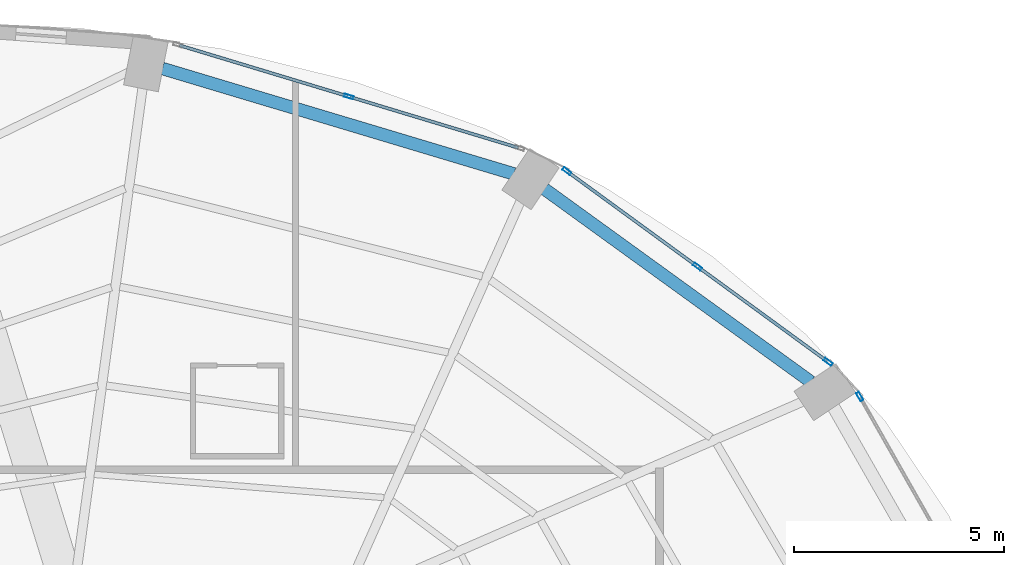
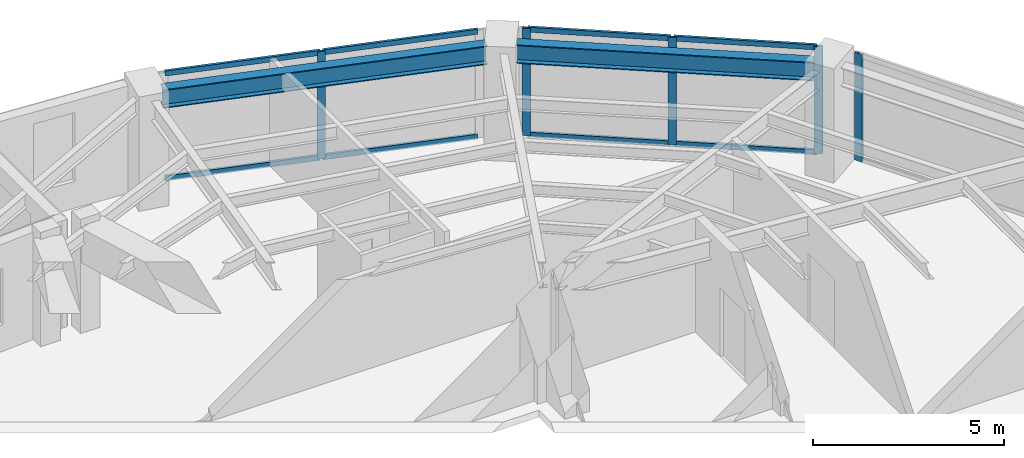
# One storey, part 18 of 24: 13 members, 2 beams, 3 elements without a shape of their own.
"""IFC4 building model written with IfcOpenShell, lengths in metres."""

from ifc_helpers import new_model, si_unit, direction, frame, origin, origin_2d, place, context, subcontext, project, spatial, hollow_rectangle, i_section, extrude, material, layer, layer_set, material_profile, profile_set, type_object, element, aggregate, save


model = new_model("IFC4")

# Units and contexts
model_context = context("Model", 3, precision=1e-05, world=origin(), true_north=direction((0.0, 1.0)))
body_context = subcontext(model_context, "Body", "Model", "MODEL_VIEW")
ifc_project = project(units=[si_unit("LENGTHUNIT", "METRE"), si_unit("AREAUNIT", "SQUARE_METRE"), si_unit("VOLUMEUNIT", "CUBIC_METRE"), si_unit("PLANEANGLEUNIT", "RADIAN"), si_unit("MASSUNIT", "GRAM", prefix="KILO")], contexts=[model_context])

# Site, building, storey
site_placement = place(None, origin())
site = spatial("IfcSite", under=ifc_project, at=site_placement, CompositionType="ELEMENT")
building_placement = place(site_placement, origin())
building = spatial("IfcBuilding", under=site, at=building_placement, Name="Lazwardi Medical Tower", CompositionType="ELEMENT")
storey_placement = place(building_placement, frame((0.0, 0.0, 118.22412109375)))
storey = spatial("IfcBuildingStorey", under=building, at=storey_placement, Name="L30", CompositionType="ELEMENT", Elevation=118.22412109375)

# Beams
ifc_material_1 = material(Name="Steel S355", Category="steel")
ifc_material_profile_1 = material_profile(ifc_material_1, i_section(OverallWidth=0.300048828125, OverallDepth=0.60009765625, WebThickness=0.015380859375, FlangeThickness=0.030029296875, at=origin_2d()), Name="HEB 600")
ifc_profile_set_1 = profile_set([ifc_material_profile_1], Name="Steel S355")
beam_type = type_object("IfcBeamType", Name="BM-RB-Z2", PredefinedType="BEAM", material=ifc_profile_set_1)
beam_1_placement = place(storey_placement, frame((56.74560546875, 40.835205078125, 3.1279296875), z_axis=(-0.81005674773, 0.586351486275, 0.0), x_axis=(-0.586351486275, -0.81005674773, 0.0)))
element("IfcBeam", 1, at=beam_1_placement, inside=storey, type_object=beam_type, Name="Ring beam RB-03 B06 L30", PredefinedType="BEAM", context=body_context, shape_type="SweptSolid", body=[
    extrude(i_section(OverallWidth=0.300048828125, OverallDepth=0.60009765625, WebThickness=0.015380859375, FlangeThickness=0.030029296875, at=origin_2d()), origin(), (0.0, 0.0, 1.0), 7.81396484375),
])
beam_2_placement = place(storey_placement, frame((49.69091796875, 45.775390625, 3.1279296875), z_axis=(-0.957879438442, 0.287170648587, 0.0), x_axis=(-0.287170648587, -0.957879438442, 0.0)))
element("IfcBeam", 2, at=beam_2_placement, inside=storey, type_object=beam_type, Name="Ring beam RB-03 B07 L30", PredefinedType="BEAM", context=body_context, shape_type="SweptSolid", body=[
    extrude(i_section(OverallWidth=0.300048828125, OverallDepth=0.60009765625, WebThickness=0.015380859375, FlangeThickness=0.030029296875, at=origin_2d()), origin(), (0.0, 0.0, 1.0), 8.719970703125),
])

# Curtain wall, member
ifc_material_2 = material(Name="Anodised bronze aluminium and solar control glazing", Category="aluminium")
ifc_layer = layer(ifc_material_2, 0.195068359375)
ifc_layer_set = layer_set([ifc_layer], Name="Anodised bronze aluminium and solar control glazing")
curtain_wall_type = type_object("IfcCurtainWallType", Name="CW-SYS-03", PredefinedType="NOTDEFINED", material=ifc_layer_set)
curtain_wall_1_placement = place(storey_placement, origin())
curtain_wall_1 = element("IfcCurtainWall", 3, at=curtain_wall_1_placement, inside=storey, type_object=curtain_wall_type, Name="L30 Unitised bronze curtain wall CW-03", PredefinedType="NOTDEFINED")
ifc_material_3 = material(Name="Anodised bronze aluminium", Category="aluminium")
ifc_material_profile_2 = material_profile(ifc_material_3, hollow_rectangle(XDim=0.074951171875, YDim=0.219970703125, WallThickness=0.00390625, at=origin_2d()), Name="ALU-MULLION 220x75x4")
ifc_profile_set_2 = profile_set([ifc_material_profile_2], Name="Anodised bronze aluminium")
member_type_1 = type_object("IfcMemberType", Name="CW-MUL-01", PredefinedType="MULLION", material=ifc_profile_set_2)
member_1_placement = place(storey_placement, frame((57.9072265625, 40.48583984375, 0.0), z_axis=(0.0, 0.0, 1.0), x_axis=(-0.869687265712, -0.493603140041, 0.0)))
member_1 = element("IfcMember", 4, at=member_1_placement, type_object=member_type_1, Name="CW-03 mullion 2", PredefinedType="MULLION", context=body_context, shape_type="SweptSolid", body=[
    extrude(hollow_rectangle(XDim=0.074951171875, YDim=0.219970703125, WallThickness=0.00390625, at=origin_2d()), origin(), (0.0, 0.0, 1.0), 3.427978515625),
])
aggregate(curtain_wall_1, [member_1])

# Curtain wall, members
curtain_wall_2_placement = place(storey_placement, origin())
curtain_wall_2 = element("IfcCurtainWall", 5, at=curtain_wall_2_placement, inside=storey, type_object=curtain_wall_type, Name="L30 Unitised bronze curtain wall CW-03", PredefinedType="NOTDEFINED")
member_2_placement = place(storey_placement, frame((57.155029296875, 41.308837890625, 0.0), z_axis=(0.0, 0.0, 1.0), x_axis=(-0.589530882802, -0.807745837639, 0.0)))
member_2 = element("IfcMember", 6, at=member_2_placement, type_object=member_type_1, Name="CW-03 mullion 1", PredefinedType="MULLION", context=body_context, shape_type="SweptSolid", body=[
    extrude(hollow_rectangle(XDim=0.074951171875, YDim=0.219970703125, WallThickness=0.00390625, at=origin_2d()), origin(), (0.0, 0.0, 1.0), 3.427978515625),
])
member_3_placement = place(storey_placement, frame((54.051025390625, 43.57421875, 0.0), z_axis=(0.0, 0.0, 1.0), x_axis=(-0.589530882802, -0.807745837639, 0.0)))
member_3 = element("IfcMember", 7, at=member_3_placement, type_object=member_type_1, Name="CW-03 mullion 2", PredefinedType="MULLION", context=body_context, shape_type="SweptSolid", body=[
    extrude(hollow_rectangle(XDim=0.074951171875, YDim=0.219970703125, WallThickness=0.00390625, at=origin_2d()), origin(), (0.0, 0.0, 1.0), 3.427978515625),
])
member_4_placement = place(storey_placement, frame((50.947265625, 45.839599609375, 0.0), z_axis=(0.0, 0.0, 1.0), x_axis=(-0.589530882802, -0.807745837639, 0.0)))
member_4 = element("IfcMember", 8, at=member_4_placement, type_object=member_type_1, Name="CW-03 mullion 3", PredefinedType="MULLION", context=body_context, shape_type="SweptSolid", body=[
    extrude(hollow_rectangle(XDim=0.074951171875, YDim=0.219970703125, WallThickness=0.00390625, at=origin_2d()), origin(), (0.0, 0.0, 1.0), 3.427978515625),
])

# Curtain wall, member
curtain_wall_3_placement = place(storey_placement, origin())
curtain_wall_3 = element("IfcCurtainWall", 9, at=curtain_wall_3_placement, inside=storey, type_object=curtain_wall_type, Name="L30 Unitised bronze curtain wall CW-03", PredefinedType="NOTDEFINED")
member_5_placement = place(storey_placement, frame((45.769287109375, 47.613037109375, 0.0), z_axis=(0.0, 0.0, 1.0), x_axis=(-0.28937381157, -0.957216170558, 0.0)))
member_5 = element("IfcMember", 10, at=member_5_placement, type_object=member_type_1, Name="CW-03 mullion 2", PredefinedType="MULLION", context=body_context, shape_type="SweptSolid", body=[
    extrude(hollow_rectangle(XDim=0.074951171875, YDim=0.219970703125, WallThickness=0.00390625, at=origin_2d()), origin(), (0.0, 0.0, 1.0), 3.427978515625),
])

# Member
ifc_material_profile_3 = material_profile(ifc_material_3, hollow_rectangle(XDim=0.074951171875, YDim=0.159912109375, WallThickness=0.00390625, at=origin_2d()), Name="ALU-TRANSOM 160x75x4")
ifc_profile_set_3 = profile_set([ifc_material_profile_3], Name="Anodised bronze aluminium")
member_type_2 = type_object("IfcMemberType", Name="CW-TRN-01", PredefinedType="USERDEFINED", material=ifc_profile_set_3)
member_6_placement = place(storey_placement, frame((57.12451171875, 41.3310546875, 0.037353515625), z_axis=(-0.807731734271, 0.589550206049, 0.0), x_axis=(-0.589550206049, -0.807731734271, 0.0)))
member_6 = element("IfcMember", 11, at=member_6_placement, type_object=member_type_2, Name="CW-03 transom 1.1", ObjectType="TRANSOM", PredefinedType="USERDEFINED", context=body_context, shape_type="SweptSolid", body=[
    extrude(hollow_rectangle(XDim=0.074951171875, YDim=0.159912109375, WallThickness=0.00390625, at=origin_2d()), origin(), (0.0, 0.0, 1.0), 3.767578125),
])

member_7_placement = place(storey_placement, frame((57.12451171875, 41.3310546875, 3.390380859375), z_axis=(-0.807731734271, 0.589550206049, 0.0), x_axis=(-0.589550206049, -0.807731734271, 0.0)))
member_7 = element("IfcMember", 12, at=member_7_placement, type_object=member_type_2, Name="CW-03 transom 1.2", ObjectType="TRANSOM", PredefinedType="USERDEFINED", context=body_context, shape_type="SweptSolid", body=[
    extrude(hollow_rectangle(XDim=0.074951171875, YDim=0.159912109375, WallThickness=0.00390625, at=origin_2d()), origin(), (0.0, 0.0, 1.0), 3.767578125),
])

member_8_placement = place(storey_placement, frame((54.020751953125, 43.596435546875, 0.037353515625), z_axis=(-0.80776259199, 0.58950792614, 0.0), x_axis=(-0.58950792614, -0.80776259199, 0.0)))
member_8 = element("IfcMember", 13, at=member_8_placement, type_object=member_type_2, Name="CW-03 transom 2.1", ObjectType="TRANSOM", PredefinedType="USERDEFINED", context=body_context, shape_type="SweptSolid", body=[
    extrude(hollow_rectangle(XDim=0.074951171875, YDim=0.159912109375, WallThickness=0.00390625, at=origin_2d()), origin(), (0.0, 0.0, 1.0), 3.767578125),
])

member_9_placement = place(storey_placement, frame((54.020751953125, 43.596435546875, 3.390380859375), z_axis=(-0.80776259199, 0.58950792614, 0.0), x_axis=(-0.58950792614, -0.80776259199, 0.0)))
member_9 = element("IfcMember", 14, at=member_9_placement, type_object=member_type_2, Name="CW-03 transom 2.2", ObjectType="TRANSOM", PredefinedType="USERDEFINED", context=body_context, shape_type="SweptSolid", body=[
    extrude(hollow_rectangle(XDim=0.074951171875, YDim=0.159912109375, WallThickness=0.00390625, at=origin_2d()), origin(), (0.0, 0.0, 1.0), 3.767578125),
])

aggregate(curtain_wall_2, [member_2, member_3, member_4, member_6, member_7, member_8, member_9])

member_10_placement = place(storey_placement, frame((49.79248046875, 46.396728515625, 0.037353515625), z_axis=(-0.957204630929, 0.289411980623, 0.0), x_axis=(-0.289411980623, -0.957204630929, 0.0)))
member_10 = element("IfcMember", 15, at=member_10_placement, type_object=member_type_2, Name="CW-03 transom 1.1", ObjectType="TRANSOM", PredefinedType="USERDEFINED", context=body_context, shape_type="SweptSolid", body=[
    extrude(hollow_rectangle(XDim=0.074951171875, YDim=0.159912109375, WallThickness=0.00390625, at=origin_2d()), origin(), (0.0, 0.0, 1.0), 4.16552734375),
])

member_11_placement = place(storey_placement, frame((49.79248046875, 46.396728515625, 3.390380859375), z_axis=(-0.957204630929, 0.289411980623, 0.0), x_axis=(-0.289411980623, -0.957204630929, 0.0)))
member_11 = element("IfcMember", 16, at=member_11_placement, type_object=member_type_2, Name="CW-03 transom 1.2", ObjectType="TRANSOM", PredefinedType="USERDEFINED", context=body_context, shape_type="SweptSolid", body=[
    extrude(hollow_rectangle(XDim=0.074951171875, YDim=0.159912109375, WallThickness=0.00390625, at=origin_2d()), origin(), (0.0, 0.0, 1.0), 4.16552734375),
])

member_12_placement = place(storey_placement, frame((45.7333984375, 47.6240234375, 0.037353515625), z_axis=(-0.957220865985, 0.289358279168, 0.0), x_axis=(-0.289358279168, -0.957220865985, 0.0)))
member_12 = element("IfcMember", 17, at=member_12_placement, type_object=member_type_2, Name="CW-03 transom 2.1", ObjectType="TRANSOM", PredefinedType="USERDEFINED", context=body_context, shape_type="SweptSolid", body=[
    extrude(hollow_rectangle(XDim=0.074951171875, YDim=0.159912109375, WallThickness=0.00390625, at=origin_2d()), origin(), (0.0, 0.0, 1.0), 4.16552734375),
])

member_13_placement = place(storey_placement, frame((45.7333984375, 47.6240234375, 3.390380859375), z_axis=(-0.957220865985, 0.289358279168, 0.0), x_axis=(-0.289358279168, -0.957220865985, 0.0)))
member_13 = element("IfcMember", 18, at=member_13_placement, type_object=member_type_2, Name="CW-03 transom 2.2", ObjectType="TRANSOM", PredefinedType="USERDEFINED", context=body_context, shape_type="SweptSolid", body=[
    extrude(hollow_rectangle(XDim=0.074951171875, YDim=0.159912109375, WallThickness=0.00390625, at=origin_2d()), origin(), (0.0, 0.0, 1.0), 4.16552734375),
])

aggregate(curtain_wall_3, [member_5, member_10, member_11, member_12, member_13])

save(model, "model.ifc")
